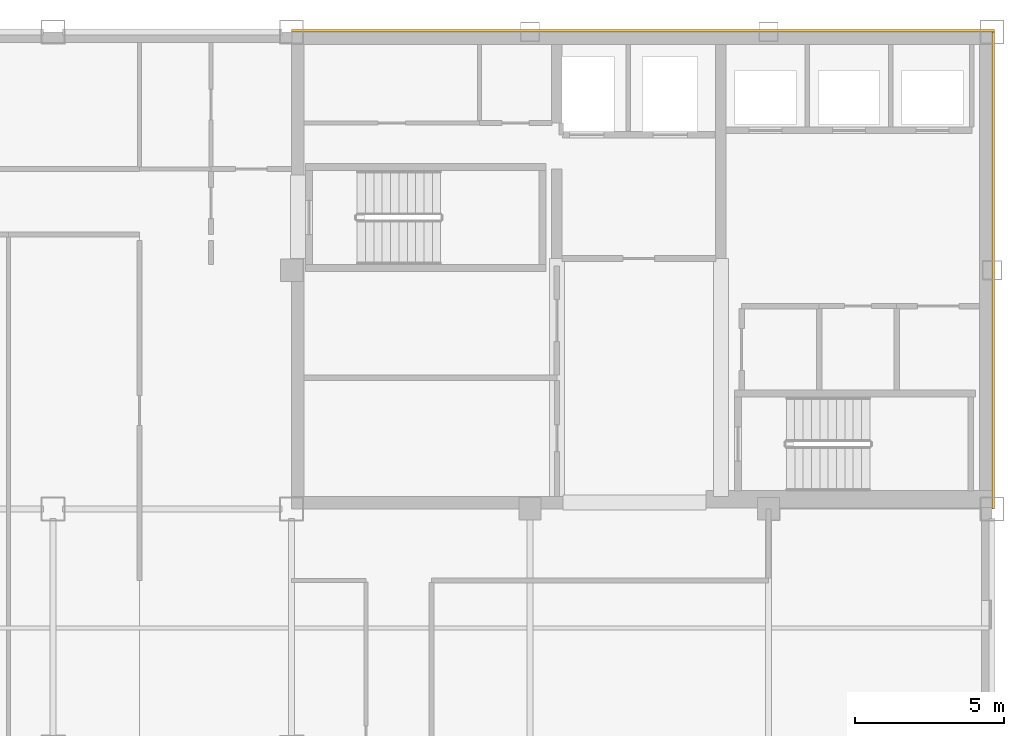
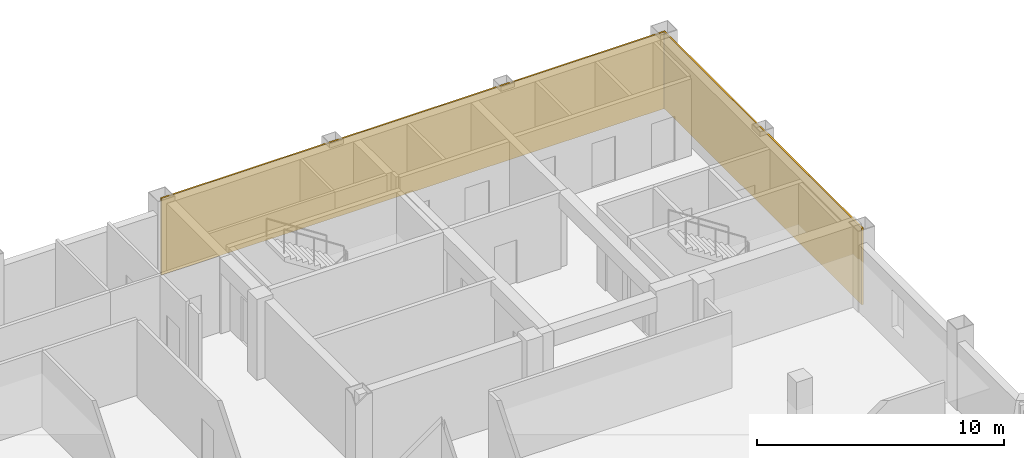
# One storey, part 7 of 7: 2 coverings.
"""IFC4 building model written with IfcOpenShell, lengths in metres."""

from ifc_helpers import new_model, si_unit, direction, frame, origin, origin_2d, place, context, subcontext, project, spatial, rectangle, extrude, material, layer, layer_set, type_object, element, save


model = new_model("IFC4")

# Units and contexts
model_context = context("Model", 3, precision=1e-05, world=origin(), true_north=direction((0.0, 1.0)))
body_context = subcontext(model_context, "Body", "Model", "MODEL_VIEW")
ifc_project = project(units=[si_unit("LENGTHUNIT", "METRE"), si_unit("AREAUNIT", "SQUARE_METRE"), si_unit("VOLUMEUNIT", "CUBIC_METRE"), si_unit("PLANEANGLEUNIT", "RADIAN"), si_unit("MASSUNIT", "GRAM", prefix="KILO")], contexts=[model_context])

# Site, building, storey
site_placement = place(None, origin())
site = spatial("IfcSite", under=ifc_project, at=site_placement, CompositionType="ELEMENT")
building_placement = place(site_placement, origin())
building = spatial("IfcBuilding", under=site, at=building_placement, Name="Qianrong Seaharbour Tower", CompositionType="ELEMENT")
storey_placement = place(building_placement, frame((0.0, 0.0, 323.199951171875)))
storey = spatial("IfcBuildingStorey", under=building, at=storey_placement, Name="L78", CompositionType="ELEMENT", Elevation=323.199951171875)

# Coverings
ifc_material = material(Name="Unitised red brick cladding on Precast concrete C45/55", Category="masonry")
ifc_layer = layer(ifc_material, 0.080078125)
ifc_layer_set = layer_set([ifc_layer], Name="Unitised red brick cladding on Precast concrete C45/55")
covering_type = type_object("IfcCoveringType", Name="COV-CLAD-RED-BRICK-80", PredefinedType="CLADDING", material=ifc_layer_set)
covering_1_placement = place(storey_placement, frame((52.2900390625, 52.0400390625, 0.0), z_axis=(0.0, 0.0, 1.0), x_axis=(1.0, 0.0, 0.0)))
element("IfcCovering", 1, at=covering_1_placement, inside=storey, type_object=covering_type, Name="L78 North Core Brick Veneer Cladding", PredefinedType="CLADDING", context=body_context, shape_type="SweptSolid", body=[
    extrude(rectangle(XDim=23.580078125, YDim=0.080078125, at=origin_2d()), origin(), (0.0, 0.0, 1.0), 3.784912109375),
])
covering_2_placement = place(storey_placement, frame((64.0400390625, 44.0, 0.0), z_axis=(0.0, 0.0, 1.0), x_axis=(1.0, 0.0, 0.0)))
element("IfcCovering", 2, at=covering_2_placement, inside=storey, type_object=covering_type, Name="L78 East Core Brick Veneer Cladding", PredefinedType="CLADDING", context=body_context, shape_type="SweptSolid", body=[
    extrude(rectangle(XDim=0.080078125, YDim=16.0, at=origin_2d()), origin(), (0.0, 0.0, 1.0), 3.784912109375),
])

save(model, "model.ifc")
